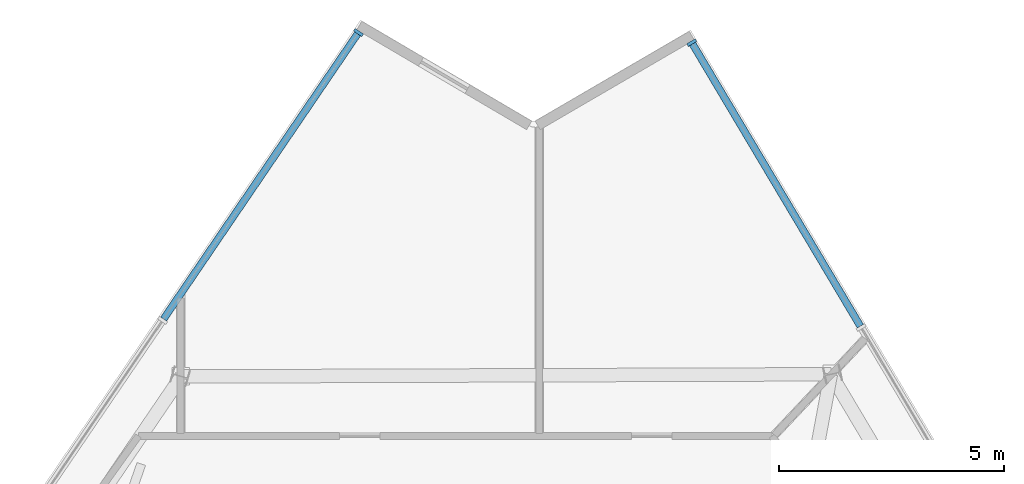
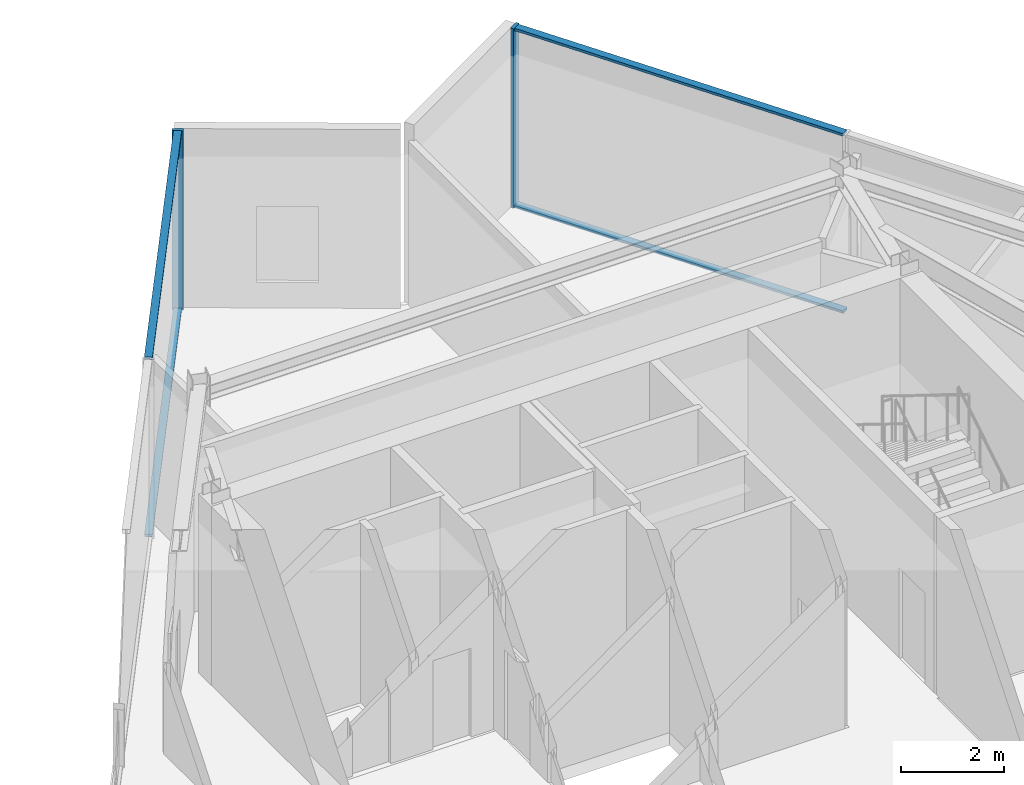
# One storey, part 5 of 12: 6 members, 2 elements without a shape of their own.
"""IFC4 building model written with IfcOpenShell, lengths in metres."""

from ifc_helpers import new_model, si_unit, direction, frame, origin, origin_2d, place, context, subcontext, project, spatial, rectangle, extrude, material, material_profile, profile_set, type_object, element, aggregate, save


model = new_model("IFC4")

# Units and contexts
model_context = context("Model", 3, precision=1e-05, world=origin(), true_north=direction((0.0, 1.0)))
body_context = subcontext(model_context, "Body", "Model", "MODEL_VIEW")
ifc_project = project(units=[si_unit("LENGTHUNIT", "METRE"), si_unit("AREAUNIT", "SQUARE_METRE"), si_unit("VOLUMEUNIT", "CUBIC_METRE"), si_unit("PLANEANGLEUNIT", "RADIAN"), si_unit("MASSUNIT", "GRAM", prefix="KILO")], contexts=[model_context])

# Site, building, storey
site_placement = place(None, origin())
site = spatial("IfcSite", under=ifc_project, at=site_placement, CompositionType="ELEMENT")
building_placement = place(site_placement, origin())
building = spatial("IfcBuilding", under=site, at=building_placement, Name="Savorim Split Tower", CompositionType="ELEMENT")
storey_placement = place(building_placement, frame((0.0, 0.0, 246.300048828125)))
storey = spatial("IfcBuildingStorey", under=building, at=storey_placement, Name="L65", CompositionType="ELEMENT", Elevation=246.300048828125)

# Curtain wall, member
ifc_material_1 = material(Name="Dark Ceramic-Fritted Insulated Glass", Category="glass")
curtain_wall_type = type_object("IfcCurtainWallType", Name="CW-SKY-ATRIUM", PredefinedType="NOTDEFINED", material=ifc_material_1)
curtain_wall_1_placement = place(storey_placement, origin())
curtain_wall_1 = element("IfcCurtainWall", 1, at=curtain_wall_1_placement, inside=storey, type_object=curtain_wall_type, Name="L65 Curtain Wall CW-L65-EAST", PredefinedType="NOTDEFINED")
ifc_material_2 = material(Name="Charcoal Anodised Aluminium", Category="aluminium")
ifc_material_profile_1 = material_profile(ifc_material_2, rectangle(XDim=0.219970703125, YDim=0.070068359375, at=origin_2d()), Name="ALU-M 220x70")
ifc_profile_set_1 = profile_set([ifc_material_profile_1], Name="Charcoal Anodised Aluminium")
member_type_1 = type_object("IfcMemberType", Name="CWM-220x70", PredefinedType="MULLION", material=ifc_profile_set_1)
member_1_placement = place(storey_placement, frame((5.258056640625, 21.072998046875, 0.0), z_axis=(0.0, 0.0, 1.0), x_axis=(-0.859526936773, -0.511090446947, 0.0)))
member_1 = element("IfcMember", 2, at=member_1_placement, type_object=member_type_1, Name="CW-05 mullion 6", PredefinedType="MULLION", context=body_context, shape_type="SweptSolid", body=[
    extrude(rectangle(XDim=0.219970703125, YDim=0.070068359375, at=origin_2d()), origin(), (0.0, 0.0, 1.0), 4.25),
])

curtain_wall_2_placement = place(storey_placement, origin())
curtain_wall_2 = element("IfcCurtainWall", 3, at=curtain_wall_2_placement, inside=storey, type_object=curtain_wall_type, Name="L65 Curtain Wall CW-L65-WEST", PredefinedType="NOTDEFINED")
member_2_placement = place(storey_placement, frame((-2.15185546875, 21.298583984375, 0.0), z_axis=(0.0, 0.0, 1.0), x_axis=(0.826818160785, -0.562469313826, 0.0)))
member_2 = element("IfcMember", 4, at=member_2_placement, type_object=member_type_1, Name="CW-05 mullion 1", PredefinedType="MULLION", context=body_context, shape_type="SweptSolid", body=[
    extrude(rectangle(XDim=0.219970703125, YDim=0.070068359375, at=origin_2d()), origin(), (0.0, 0.0, 1.0), 4.25),
])

# Member
ifc_material_profile_2 = material_profile(ifc_material_2, rectangle(XDim=0.159912109375, YDim=0.06005859375, at=origin_2d()), Name="ALU-T 160x60")
ifc_profile_set_2 = profile_set([ifc_material_profile_2], Name="Charcoal Anodised Aluminium")
member_type_2 = type_object("IfcMemberType", Name="CWT-160x60", PredefinedType="USERDEFINED", material=ifc_profile_set_2)
member_3_placement = place(storey_placement, frame((9.005126953125, 14.771484375, 0.030029296875), z_axis=(-0.511116148581, 0.859511653591, 0.0), x_axis=(-0.859511653591, -0.511116148581, 0.0)))
member_3 = element("IfcMember", 5, at=member_3_placement, type_object=member_type_2, Name="CW-05 transom 5.1", ObjectType="TRANSOM", PredefinedType="USERDEFINED", context=body_context, shape_type="SweptSolid", body=[
    extrude(rectangle(XDim=0.159912109375, YDim=0.06005859375, at=origin_2d()), origin(), (0.0, 0.0, 1.0), 7.29638671875),
])

member_4_placement = place(storey_placement, frame((9.005126953125, 14.771484375, 4.219970703125), z_axis=(-0.511116148581, 0.859511653591, 0.0), x_axis=(-0.859511653591, -0.511116148581, 0.0)))
member_4 = element("IfcMember", 6, at=member_4_placement, type_object=member_type_2, Name="CW-05 transom 5.2", ObjectType="TRANSOM", PredefinedType="USERDEFINED", context=body_context, shape_type="SweptSolid", body=[
    extrude(rectangle(XDim=0.159912109375, YDim=0.06005859375, at=origin_2d()), origin(), (0.0, 0.0, 1.0), 7.29638671875),
])

aggregate(curtain_wall_1, [member_1, member_3, member_4])

member_5_placement = place(storey_placement, frame((-2.17138671875, 21.26953125, 0.030029296875), z_axis=(-0.562477181864, -0.826812808248, 0.0), x_axis=(0.826812808248, -0.562477181864, 0.0)))
member_5 = element("IfcMember", 7, at=member_5_placement, type_object=member_type_2, Name="CW-05 transom 1.1", ObjectType="TRANSOM", PredefinedType="USERDEFINED", context=body_context, shape_type="SweptSolid", body=[
    extrude(rectangle(XDim=0.159912109375, YDim=0.06005859375, at=origin_2d()), origin(), (0.0, 0.0, 1.0), 7.669677734375),
])

member_6_placement = place(storey_placement, frame((-2.17138671875, 21.26953125, 4.219970703125), z_axis=(-0.562477181864, -0.826812808248, 0.0), x_axis=(0.826812808248, -0.562477181864, 0.0)))
member_6 = element("IfcMember", 8, at=member_6_placement, type_object=member_type_2, Name="CW-05 transom 1.2", ObjectType="TRANSOM", PredefinedType="USERDEFINED", context=body_context, shape_type="SweptSolid", body=[
    extrude(rectangle(XDim=0.159912109375, YDim=0.06005859375, at=origin_2d()), origin(), (0.0, 0.0, 1.0), 7.669677734375),
])

aggregate(curtain_wall_2, [member_2, member_5, member_6])

save(model, "model.ifc")
